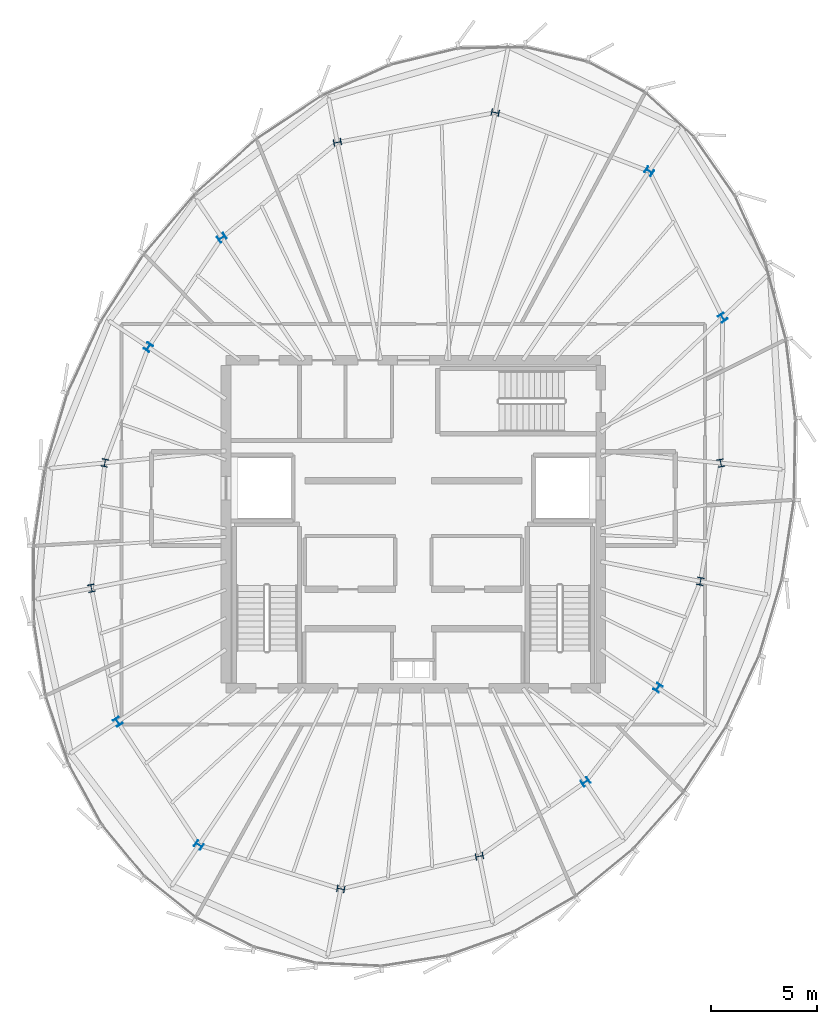
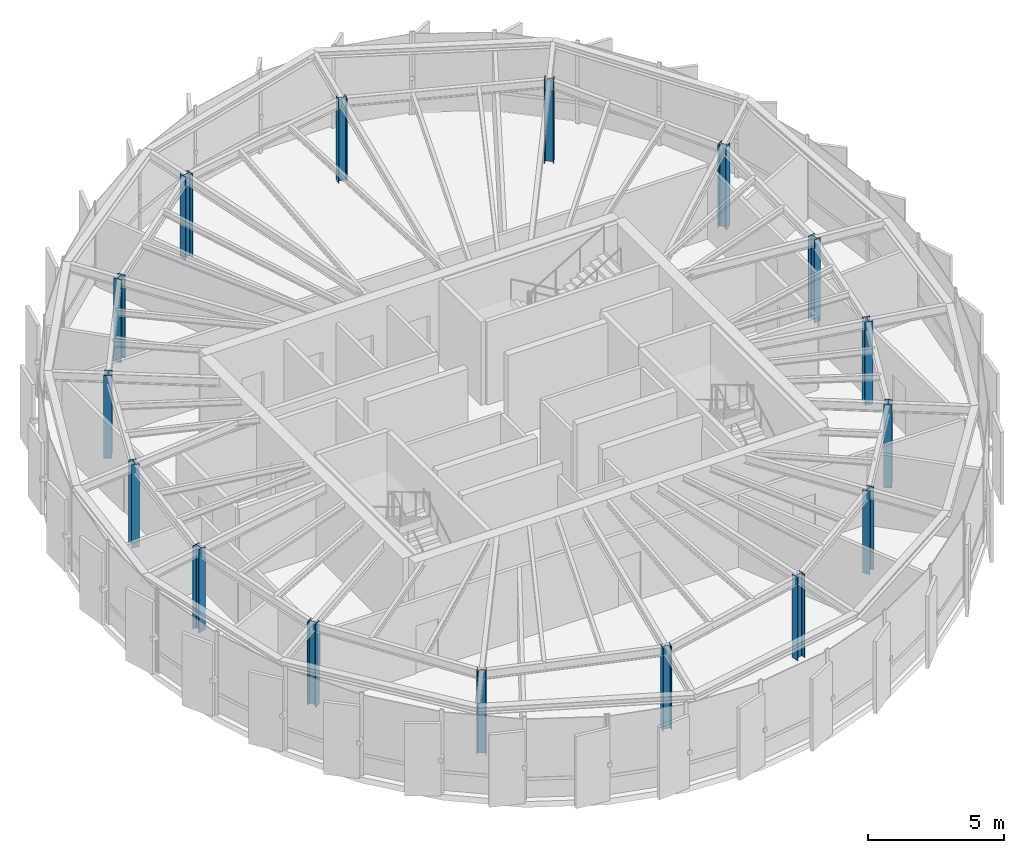
# One storey, part 1 of 27: 16 columns.
"""IFC4 building model written with IfcOpenShell, lengths in metres."""

from ifc_helpers import new_model, si_unit, direction, frame, origin, origin_2d, place, context, subcontext, project, spatial, i_section, extrude, source, transform, mapped, material, material_profile, profile_set, type_object, element, save


model = new_model("IFC4")

# Units and contexts
model_context = context("Model", 3, precision=1e-05, world=origin(), true_north=direction((0.0, 1.0)))
body_context = subcontext(model_context, "Body", "Model", "MODEL_VIEW")
ifc_project = project(units=[si_unit("LENGTHUNIT", "METRE"), si_unit("AREAUNIT", "SQUARE_METRE"), si_unit("VOLUMEUNIT", "CUBIC_METRE"), si_unit("PLANEANGLEUNIT", "RADIAN"), si_unit("MASSUNIT", "GRAM", prefix="KILO"), si_unit("THERMODYNAMICTEMPERATUREUNIT", "KELVIN")], contexts=[model_context])

# Site, building, storey
site_placement = place(None, origin())
site = spatial("IfcSite", under=ifc_project, at=site_placement, CompositionType="ELEMENT")
building_placement = place(site_placement, origin())
building = spatial("IfcBuilding", under=site, at=building_placement, Name="Kethvar Cultural Tower", CompositionType="ELEMENT")
storey_placement = place(building_placement, frame((0.0, 0.0, 312.300048828125)))
storey = spatial("IfcBuildingStorey", under=building, at=storey_placement, Name="L83", CompositionType="ELEMENT", Elevation=312.300048828125)

# Columns
ifc_material = material(Name="Steel S355J2", Category="steel")
ifc_material_profile = material_profile(ifc_material, i_section(OverallWidth=0.30908203125, OverallDepth=0.35888671875, WebThickness=0.01611328125, FlangeThickness=0.02587890625, FilletRadius=0.027099609375, at=origin_2d()), Name="Steel S355J2 — HD320x245")
ifc_profile_set = profile_set([ifc_material_profile], Name="Steel S355J2 — HD320x245")
column_type = type_object("IfcColumnType", Name="COL-HD245", PredefinedType="COLUMN", material=ifc_profile_set)
shared_shape = source(origin(), body_context, "Body", "SweptSolid", [
    extrude(i_section(OverallWidth=0.30908203125, OverallDepth=0.35888671875, WebThickness=0.01611328125, FlangeThickness=0.02587890625, FilletRadius=0.027099609375, at=origin_2d()), origin(), (0.0, 0.0, 1.0), 3.73486328125),
])
for number, where, z_axis, x_axis, name in (
    (1, (61.237060546875, 30.671630859375, 0.0), (0.0, 0.0, 1.0), (0.980785280403, 0.195090322016, 0.0), "L83 Mega-Column MC-01"),
    (2, (61.32568359375, 37.505859375, 0.0), (0.0, 0.0, 1.0), (0.831469612303, 0.55557023302, 0.0), "L83 Mega-Column MC-02"),
    (3, (57.875244140625, 44.375, 0.0), (0.0, 0.0, 1.0), (0.55557023302, 0.831469612303, 0.0), "L83 Mega-Column MC-03"),
    (4, (50.645263671875, 47.131591796875, 0.0), (0.0, 0.0, 1.0), (0.195090322016, 0.980785280403, 0.0), "L83 Mega-Column MC-04"),
    (5, (43.23291015625, 45.732421875, 0.0), (0.0, 0.0, 1.0), (-0.195090322016, 0.980785280403, 0.0), "L83 Mega-Column MC-05"),
    (6, (37.8095703125, 41.255126953125, 0.0), (0.0, 0.0, 1.0), (-0.55557023302, 0.831469612303, 0.0), "L83 Mega-Column MC-06"),
    (7, (34.35595703125, 36.114990234375, 0.0), (0.0, 0.0, 1.0), (-0.831469612303, 0.55557023302, 0.0), "L83 Mega-Column MC-07"),
    (8, (32.3125, 30.681884765625, 0.0), (0.0, 0.0, 1.0), (-0.980785280403, 0.195090322016, 0.0), "L83 Mega-Column MC-08"),
    (9, (31.68310546875, 24.79296875, 0.0), (0.0, 0.0, 1.0), (-0.980785280403, -0.195090322016, 0.0), "L83 Mega-Column MC-09"),
    (10, (32.912841796875, 18.52099609375, 0.0), (0.0, 0.0, 1.0), (-0.831469612303, -0.55557023302, 0.0), "L83 Mega-Column MC-10"),
    (11, (36.731201171875, 12.73095703125, 0.0), (0.0, 0.0, 1.0), (-0.55557023302, -0.831469612303, 0.0), "L83 Mega-Column MC-11"),
    (12, (43.392822265625, 10.67138671875, 0.0), (0.0, 0.0, 1.0), (-0.195090322016, -0.980785280403, 0.0), "L83 Mega-Column MC-12"),
    (13, (49.901611328125, 12.206787109375, 0.0), (0.0, 0.0, 1.0), (0.195090322016, -0.980785280403, 0.0), "L83 Mega-Column MC-13"),
    (14, (54.885009765625, 15.7001953125, 0.0), (0.0, 0.0, 1.0), (0.55557023302, -0.831469612303, 0.0), "L83 Mega-Column MC-14"),
    (15, (58.287109375, 20.12451171875, 0.0), (0.0, 0.0, 1.0), (0.831469612303, -0.55557023302, 0.0), "L83 Mega-Column MC-15"),
    (16, (60.28369140625, 25.117919921875, 0.0), (0.0, 0.0, 1.0), (0.980785280403, -0.195090322016, 0.0), "L83 Mega-Column MC-16"),
):
    element("IfcColumn", number, at=place(storey_placement, frame(where, z_axis=z_axis, x_axis=x_axis)), inside=storey, type_object=column_type, Name=name, PredefinedType="COLUMN", context=body_context, shape_type="MappedRepresentation", body=[
        mapped(shared_shape, transform((0.0, 0.0, 0.0), scale=1.0)),
    ])

save(model, "model.ifc")
